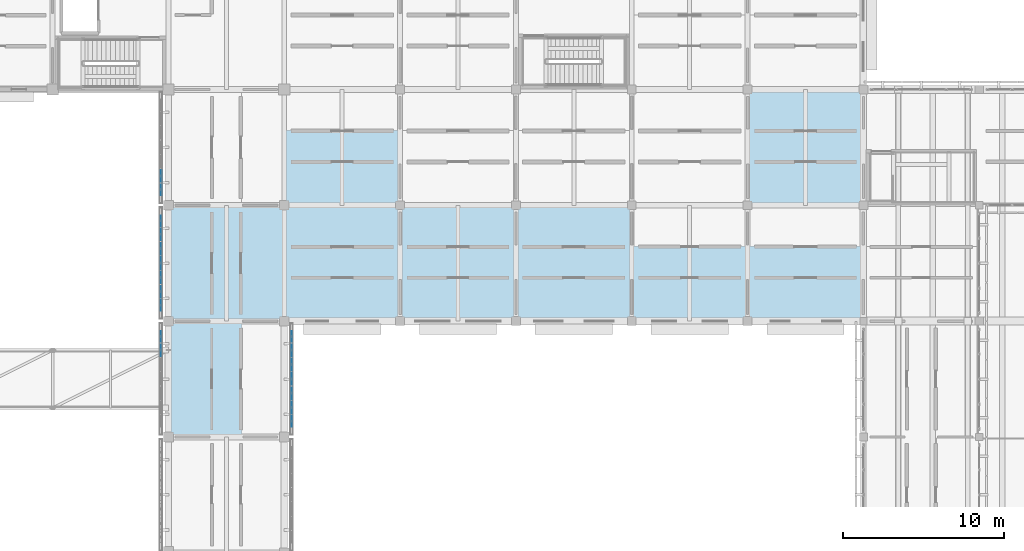
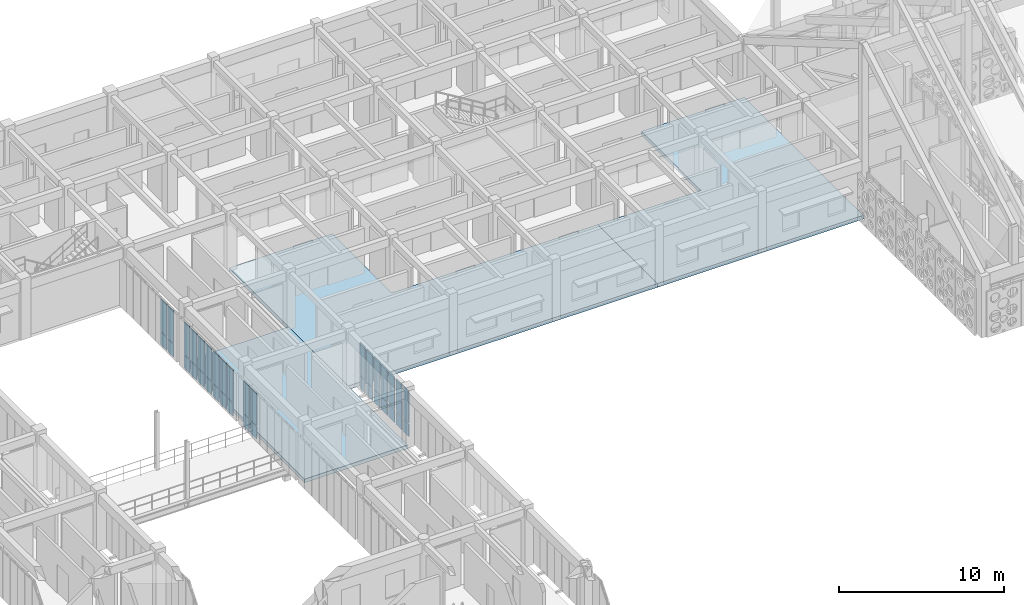
# One storey, part 100 of 171: 36 plates, 3 slabs, 4 elements without a shape of their own.
"""IFC4 building model written with IfcOpenShell, lengths in metres."""

from ifc_helpers import new_model, si_unit, direction, frame, origin, origin_2d, place, context, subcontext, project, spatial, polyline, rectangle, outline, extrude, material, layer, layer_set, type_object, element, aggregate, save


model = new_model("IFC4")

# Units and contexts
model_context = context("Model", 3, precision=1e-05, world=origin(), true_north=direction((0.0, 1.0)))
body_context = subcontext(model_context, "Body", "Model", "MODEL_VIEW")
ifc_project = project(units=[si_unit("LENGTHUNIT", "METRE"), si_unit("AREAUNIT", "SQUARE_METRE"), si_unit("VOLUMEUNIT", "CUBIC_METRE"), si_unit("PLANEANGLEUNIT", "RADIAN"), si_unit("MASSUNIT", "GRAM", prefix="KILO")], contexts=[model_context])

# Site, building, storey
site_placement = place(None, origin())
site = spatial("IfcSite", under=ifc_project, at=site_placement, CompositionType="ELEMENT")
building_placement = place(site_placement, origin())
building = spatial("IfcBuilding", under=site, at=building_placement, Name="Aldebral Square Health Centre", CompositionType="ELEMENT")
storey_placement = place(building_placement, frame((0.0, 0.0, 4.5)))
storey = spatial("IfcBuildingStorey", under=building, at=storey_placement, Name="L01", CompositionType="ELEMENT", Elevation=4.5)

# Curtain wall, plates
ifc_material_1 = material(Name="Aluminium and low-E solar glass", Category="aluminium")
curtain_wall_type = type_object("IfcCurtainWallType", Name="CW-FIN-SYS", PredefinedType="USERDEFINED", material=ifc_material_1)
curtain_wall_1_placement = place(storey_placement, origin())
curtain_wall_1 = element("IfcCurtainWall", 1, at=curtain_wall_1_placement, inside=storey, type_object=curtain_wall_type, Name="L01 V4 finned curtain wall L01-V4-03-11-W", ObjectType="SOLAR_CURTAIN_WALL", PredefinedType="USERDEFINED")
ifc_material_2 = material(Name="Solar-control low-E double glass", Category="glass")
ifc_layer_1 = layer(ifc_material_2, 0.030029296875, Name="Solar-control low-E double glass", Category="glass")
ifc_layer_set_1 = layer_set([ifc_layer_1], Name="Solar-control low-E double glass")
plate_type_1 = type_object("IfcPlateType", Name="CWP-GLZ-2", PredefinedType="CURTAIN_PANEL", material=ifc_layer_set_1)
plate_1_placement = place(storey_placement, frame((21.139892578125, 85.434326171875, 0.074951171875), z_axis=(0.0, 0.0, 1.0), x_axis=(0.0, -1.0, 0.0)))
plate_1 = element("IfcPlate", 2, at=plate_1_placement, type_object=plate_type_1, Name="CW1 panel 1.1", PredefinedType="CURTAIN_PANEL", context=body_context, shape_type="SweptSolid", body=[
    extrude(rectangle(XDim=0.6513671875, YDim=0.030029296875, at=origin_2d()), origin(), (0.0, 0.0, 1.0), 0.9375),
])
plate_2_placement = place(storey_placement, frame((21.139892578125, 85.434326171875, 1.087646484375), z_axis=(0.0, 0.0, 1.0), x_axis=(0.0, -1.0, 0.0)))
plate_2 = element("IfcPlate", 3, at=plate_2_placement, type_object=plate_type_1, Name="CW1 panel 1.2", PredefinedType="CURTAIN_PANEL", context=body_context, shape_type="SweptSolid", body=[
    extrude(rectangle(XDim=0.6513671875, YDim=0.030029296875, at=origin_2d()), origin(), (0.0, 0.0, 1.0), 2.357421875),
])
plate_3_placement = place(storey_placement, frame((21.139892578125, 84.582763671875, 0.074951171875), z_axis=(0.0, 0.0, 1.0), x_axis=(0.0, -1.0, 0.0)))
plate_3 = element("IfcPlate", 4, at=plate_3_placement, type_object=plate_type_1, Name="CW1 panel 2.1", PredefinedType="CURTAIN_PANEL", context=body_context, shape_type="SweptSolid", body=[
    extrude(rectangle(XDim=0.7314453125, YDim=0.030029296875, at=origin_2d()), origin(), (0.0, 0.0, 1.0), 0.9375),
])
plate_4_placement = place(storey_placement, frame((21.139892578125, 84.582763671875, 1.087646484375), z_axis=(0.0, 0.0, 1.0), x_axis=(0.0, -1.0, 0.0)))
plate_4 = element("IfcPlate", 5, at=plate_4_placement, type_object=plate_type_1, Name="CW1 panel 2.2", PredefinedType="CURTAIN_PANEL", context=body_context, shape_type="SweptSolid", body=[
    extrude(rectangle(XDim=0.7314453125, YDim=0.030029296875, at=origin_2d()), origin(), (0.0, 0.0, 1.0), 2.357421875),
])
aggregate(curtain_wall_1, [plate_1, plate_2, plate_3, plate_4])

curtain_wall_2_placement = place(storey_placement, origin())
curtain_wall_2 = element("IfcCurtainWall", 6, at=curtain_wall_2_placement, inside=storey, type_object=curtain_wall_type, Name="L01 V4 finned curtain wall L01-V4-03-11-E", ObjectType="SOLAR_CURTAIN_WALL", PredefinedType="USERDEFINED")
ifc_layer_2 = layer(ifc_material_2, 0.0400390625, Name="Solar-control low-E double glass", Category="glass")
ifc_layer_set_2 = layer_set([ifc_layer_2], Name="Solar-control low-E double glass")
plate_type_2 = type_object("IfcPlateType", Name="CWP-GLZ-3", PredefinedType="CURTAIN_PANEL", material=ifc_layer_set_2)
plate_5_placement = place(storey_placement, frame((29.260009765625, 80.165771484375, 0.074951171875), z_axis=(0.0, 0.0, 1.0), x_axis=(0.0, 1.0, 0.0)))
plate_5 = element("IfcPlate", 7, at=plate_5_placement, type_object=plate_type_2, Name="CW1 panel 1.1", PredefinedType="CURTAIN_PANEL", context=body_context, shape_type="SweptSolid", body=[
    extrude(rectangle(XDim=0.6513671875, YDim=0.0400390625, at=origin_2d()), origin(), (0.0, 0.0, 1.0), 0.9375),
])
plate_6_placement = place(storey_placement, frame((29.260009765625, 80.165771484375, 1.087646484375), z_axis=(0.0, 0.0, 1.0), x_axis=(0.0, 1.0, 0.0)))
plate_6 = element("IfcPlate", 8, at=plate_6_placement, type_object=plate_type_2, Name="CW1 panel 1.2", PredefinedType="CURTAIN_PANEL", context=body_context, shape_type="SweptSolid", body=[
    extrude(rectangle(XDim=0.6513671875, YDim=0.0400390625, at=origin_2d()), origin(), (0.0, 0.0, 1.0), 2.357421875),
])
plate_7_placement = place(storey_placement, frame((29.260009765625, 81.01708984375, 0.074951171875), z_axis=(0.0, 0.0, 1.0), x_axis=(0.0, 1.0, 0.0)))
plate_7 = element("IfcPlate", 9, at=plate_7_placement, type_object=plate_type_2, Name="CW1 panel 2.1", PredefinedType="CURTAIN_PANEL", context=body_context, shape_type="SweptSolid", body=[
    extrude(rectangle(XDim=0.7314453125, YDim=0.0400390625, at=origin_2d()), origin(), (0.0, 0.0, 1.0), 0.9375),
])
plate_8_placement = place(storey_placement, frame((29.260009765625, 81.01708984375, 1.087646484375), z_axis=(0.0, 0.0, 1.0), x_axis=(0.0, 1.0, 0.0)))
plate_8 = element("IfcPlate", 10, at=plate_8_placement, type_object=plate_type_2, Name="CW1 panel 2.2", PredefinedType="CURTAIN_PANEL", context=body_context, shape_type="SweptSolid", body=[
    extrude(rectangle(XDim=0.7314453125, YDim=0.0400390625, at=origin_2d()), origin(), (0.0, 0.0, 1.0), 2.357421875),
])
plate_9_placement = place(storey_placement, frame((29.260009765625, 81.90869140625, 0.074951171875), z_axis=(0.0, 0.0, 1.0), x_axis=(0.0, 1.0, 0.0)))
plate_9 = element("IfcPlate", 11, at=plate_9_placement, type_object=plate_type_2, Name="CW1 panel 3.1", PredefinedType="CURTAIN_PANEL", context=body_context, shape_type="SweptSolid", body=[
    extrude(rectangle(XDim=0.7314453125, YDim=0.0400390625, at=origin_2d()), origin(), (0.0, 0.0, 1.0), 0.9375),
])
plate_10_placement = place(storey_placement, frame((29.260009765625, 81.90869140625, 1.087646484375), z_axis=(0.0, 0.0, 1.0), x_axis=(0.0, 1.0, 0.0)))
plate_10 = element("IfcPlate", 12, at=plate_10_placement, type_object=plate_type_2, Name="CW1 panel 3.2", PredefinedType="CURTAIN_PANEL", context=body_context, shape_type="SweptSolid", body=[
    extrude(rectangle(XDim=0.7314453125, YDim=0.0400390625, at=origin_2d()), origin(), (0.0, 0.0, 1.0), 2.357421875),
])
plate_11_placement = place(storey_placement, frame((29.260009765625, 82.800048828125, 0.074951171875), z_axis=(0.0, 0.0, 1.0), x_axis=(0.0, 1.0, 0.0)))
plate_11 = element("IfcPlate", 13, at=plate_11_placement, type_object=plate_type_2, Name="CW1 panel 4.1", PredefinedType="CURTAIN_PANEL", context=body_context, shape_type="SweptSolid", body=[
    extrude(rectangle(XDim=0.7314453125, YDim=0.0400390625, at=origin_2d()), origin(), (0.0, 0.0, 1.0), 0.9375),
])
plate_12_placement = place(storey_placement, frame((29.260009765625, 82.800048828125, 1.087646484375), z_axis=(0.0, 0.0, 1.0), x_axis=(0.0, 1.0, 0.0)))
plate_12 = element("IfcPlate", 14, at=plate_12_placement, type_object=plate_type_2, Name="CW1 panel 4.2", PredefinedType="CURTAIN_PANEL", context=body_context, shape_type="SweptSolid", body=[
    extrude(rectangle(XDim=0.7314453125, YDim=0.0400390625, at=origin_2d()), origin(), (0.0, 0.0, 1.0), 2.357421875),
])
plate_13_placement = place(storey_placement, frame((29.260009765625, 83.69140625, 0.074951171875), z_axis=(0.0, 0.0, 1.0), x_axis=(0.0, 1.0, 0.0)))
plate_13 = element("IfcPlate", 15, at=plate_13_placement, type_object=plate_type_2, Name="CW1 panel 5.1", PredefinedType="CURTAIN_PANEL", context=body_context, shape_type="SweptSolid", body=[
    extrude(rectangle(XDim=0.7314453125, YDim=0.0400390625, at=origin_2d()), origin(), (0.0, 0.0, 1.0), 0.9375),
])
plate_14_placement = place(storey_placement, frame((29.260009765625, 83.69140625, 1.087646484375), z_axis=(0.0, 0.0, 1.0), x_axis=(0.0, 1.0, 0.0)))
plate_14 = element("IfcPlate", 16, at=plate_14_placement, type_object=plate_type_2, Name="CW1 panel 5.2", PredefinedType="CURTAIN_PANEL", context=body_context, shape_type="SweptSolid", body=[
    extrude(rectangle(XDim=0.7314453125, YDim=0.0400390625, at=origin_2d()), origin(), (0.0, 0.0, 1.0), 2.357421875),
])
plate_15_placement = place(storey_placement, frame((29.260009765625, 84.582763671875, 0.074951171875), z_axis=(0.0, 0.0, 1.0), x_axis=(0.0, 1.0, 0.0)))
plate_15 = element("IfcPlate", 17, at=plate_15_placement, type_object=plate_type_2, Name="CW1 panel 6.1", PredefinedType="CURTAIN_PANEL", context=body_context, shape_type="SweptSolid", body=[
    extrude(rectangle(XDim=0.7314453125, YDim=0.0400390625, at=origin_2d()), origin(), (0.0, 0.0, 1.0), 0.9375),
])
plate_16_placement = place(storey_placement, frame((29.260009765625, 84.582763671875, 1.087646484375), z_axis=(0.0, 0.0, 1.0), x_axis=(0.0, 1.0, 0.0)))
plate_16 = element("IfcPlate", 18, at=plate_16_placement, type_object=plate_type_2, Name="CW1 panel 6.2", PredefinedType="CURTAIN_PANEL", context=body_context, shape_type="SweptSolid", body=[
    extrude(rectangle(XDim=0.7314453125, YDim=0.0400390625, at=origin_2d()), origin(), (0.0, 0.0, 1.0), 2.357421875),
])
plate_17_placement = place(storey_placement, frame((29.260009765625, 85.434326171875, 0.074951171875), z_axis=(0.0, 0.0, 1.0), x_axis=(0.0, 1.0, 0.0)))
plate_17 = element("IfcPlate", 19, at=plate_17_placement, type_object=plate_type_2, Name="CW1 panel 7.1", PredefinedType="CURTAIN_PANEL", context=body_context, shape_type="SweptSolid", body=[
    extrude(rectangle(XDim=0.6513671875, YDim=0.0400390625, at=origin_2d()), origin(), (0.0, 0.0, 1.0), 0.9375),
])
plate_18_placement = place(storey_placement, frame((29.260009765625, 85.434326171875, 1.087646484375), z_axis=(0.0, 0.0, 1.0), x_axis=(0.0, 1.0, 0.0)))
plate_18 = element("IfcPlate", 20, at=plate_18_placement, type_object=plate_type_2, Name="CW1 panel 7.2", PredefinedType="CURTAIN_PANEL", context=body_context, shape_type="SweptSolid", body=[
    extrude(rectangle(XDim=0.6513671875, YDim=0.0400390625, at=origin_2d()), origin(), (0.0, 0.0, 1.0), 2.357421875),
])
aggregate(curtain_wall_2, [plate_5, plate_6, plate_7, plate_8, plate_9, plate_10, plate_11, plate_12, plate_13, plate_14, plate_15, plate_16, plate_17, plate_18])

curtain_wall_3_placement = place(storey_placement, origin())
curtain_wall_3 = element("IfcCurtainWall", 21, at=curtain_wall_3_placement, inside=storey, type_object=curtain_wall_type, Name="L01 V4 finned curtain wall L01-V4-03-12-W", ObjectType="SOLAR_CURTAIN_WALL", PredefinedType="USERDEFINED")
ifc_layer_3 = layer(ifc_material_2, 0.050048828125, Name="Solar-control low-E double glass", Category="glass")
ifc_layer_set_3 = layer_set([ifc_layer_3], Name="Solar-control low-E double glass")
plate_type_3 = type_object("IfcPlateType", Name="CWP-GLZ-4", PredefinedType="CURTAIN_PANEL", material=ifc_layer_set_3)
plate_19_placement = place(storey_placement, frame((21.139892578125, 92.63427734375, 0.074951171875), z_axis=(0.0, 0.0, 1.0), x_axis=(0.0, -1.0, 0.0)))
plate_19 = element("IfcPlate", 22, at=plate_19_placement, type_object=plate_type_3, Name="CW1 panel 1.1", PredefinedType="CURTAIN_PANEL", context=body_context, shape_type="SweptSolid", body=[
    extrude(rectangle(XDim=0.6513671875, YDim=0.050048828125, at=origin_2d()), origin(), (0.0, 0.0, 1.0), 0.9375),
])
plate_20_placement = place(storey_placement, frame((21.139892578125, 92.63427734375, 1.087646484375), z_axis=(0.0, 0.0, 1.0), x_axis=(0.0, -1.0, 0.0)))
plate_20 = element("IfcPlate", 23, at=plate_20_placement, type_object=plate_type_3, Name="CW1 panel 1.2", PredefinedType="CURTAIN_PANEL", context=body_context, shape_type="SweptSolid", body=[
    extrude(rectangle(XDim=0.6513671875, YDim=0.050048828125, at=origin_2d()), origin(), (0.0, 0.0, 1.0), 2.357421875),
])
plate_21_placement = place(storey_placement, frame((21.139892578125, 91.782958984375, 0.074951171875), z_axis=(0.0, 0.0, 1.0), x_axis=(0.0, -1.0, 0.0)))
plate_21 = element("IfcPlate", 24, at=plate_21_placement, type_object=plate_type_3, Name="CW1 panel 2.1", PredefinedType="CURTAIN_PANEL", context=body_context, shape_type="SweptSolid", body=[
    extrude(rectangle(XDim=0.7314453125, YDim=0.050048828125, at=origin_2d()), origin(), (0.0, 0.0, 1.0), 0.9375),
])
plate_22_placement = place(storey_placement, frame((21.139892578125, 91.782958984375, 1.087646484375), z_axis=(0.0, 0.0, 1.0), x_axis=(0.0, -1.0, 0.0)))
plate_22 = element("IfcPlate", 25, at=plate_22_placement, type_object=plate_type_3, Name="CW1 panel 2.2", PredefinedType="CURTAIN_PANEL", context=body_context, shape_type="SweptSolid", body=[
    extrude(rectangle(XDim=0.7314453125, YDim=0.050048828125, at=origin_2d()), origin(), (0.0, 0.0, 1.0), 2.357421875),
])
plate_23_placement = place(storey_placement, frame((21.139892578125, 90.891357421875, 0.074951171875), z_axis=(0.0, 0.0, 1.0), x_axis=(0.0, -1.0, 0.0)))
plate_23 = element("IfcPlate", 26, at=plate_23_placement, type_object=plate_type_3, Name="CW1 panel 3.1", PredefinedType="CURTAIN_PANEL", context=body_context, shape_type="SweptSolid", body=[
    extrude(rectangle(XDim=0.7314453125, YDim=0.050048828125, at=origin_2d()), origin(), (0.0, 0.0, 1.0), 0.9375),
])
plate_24_placement = place(storey_placement, frame((21.139892578125, 90.891357421875, 1.087646484375), z_axis=(0.0, 0.0, 1.0), x_axis=(0.0, -1.0, 0.0)))
plate_24 = element("IfcPlate", 27, at=plate_24_placement, type_object=plate_type_3, Name="CW1 panel 3.2", PredefinedType="CURTAIN_PANEL", context=body_context, shape_type="SweptSolid", body=[
    extrude(rectangle(XDim=0.7314453125, YDim=0.050048828125, at=origin_2d()), origin(), (0.0, 0.0, 1.0), 2.357421875),
])
plate_25_placement = place(storey_placement, frame((21.139892578125, 90.0, 0.074951171875), z_axis=(0.0, 0.0, 1.0), x_axis=(0.0, -1.0, 0.0)))
plate_25 = element("IfcPlate", 28, at=plate_25_placement, type_object=plate_type_3, Name="CW1 panel 4.1", PredefinedType="CURTAIN_PANEL", context=body_context, shape_type="SweptSolid", body=[
    extrude(rectangle(XDim=0.7314453125, YDim=0.050048828125, at=origin_2d()), origin(), (0.0, 0.0, 1.0), 0.9375),
])
plate_26_placement = place(storey_placement, frame((21.139892578125, 90.0, 1.087646484375), z_axis=(0.0, 0.0, 1.0), x_axis=(0.0, -1.0, 0.0)))
plate_26 = element("IfcPlate", 29, at=plate_26_placement, type_object=plate_type_3, Name="CW1 panel 4.2", PredefinedType="CURTAIN_PANEL", context=body_context, shape_type="SweptSolid", body=[
    extrude(rectangle(XDim=0.7314453125, YDim=0.050048828125, at=origin_2d()), origin(), (0.0, 0.0, 1.0), 2.357421875),
])
plate_27_placement = place(storey_placement, frame((21.139892578125, 89.108642578125, 0.074951171875), z_axis=(0.0, 0.0, 1.0), x_axis=(0.0, -1.0, 0.0)))
plate_27 = element("IfcPlate", 30, at=plate_27_placement, type_object=plate_type_3, Name="CW1 panel 5.1", PredefinedType="CURTAIN_PANEL", context=body_context, shape_type="SweptSolid", body=[
    extrude(rectangle(XDim=0.7314453125, YDim=0.050048828125, at=origin_2d()), origin(), (0.0, 0.0, 1.0), 0.9375),
])
plate_28_placement = place(storey_placement, frame((21.139892578125, 89.108642578125, 1.087646484375), z_axis=(0.0, 0.0, 1.0), x_axis=(0.0, -1.0, 0.0)))
plate_28 = element("IfcPlate", 31, at=plate_28_placement, type_object=plate_type_3, Name="CW1 panel 5.2", PredefinedType="CURTAIN_PANEL", context=body_context, shape_type="SweptSolid", body=[
    extrude(rectangle(XDim=0.7314453125, YDim=0.050048828125, at=origin_2d()), origin(), (0.0, 0.0, 1.0), 2.357421875),
])
plate_29_placement = place(storey_placement, frame((21.139892578125, 88.217041015625, 0.074951171875), z_axis=(0.0, 0.0, 1.0), x_axis=(0.0, -1.0, 0.0)))
plate_29 = element("IfcPlate", 32, at=plate_29_placement, type_object=plate_type_3, Name="CW1 panel 6.1", PredefinedType="CURTAIN_PANEL", context=body_context, shape_type="SweptSolid", body=[
    extrude(rectangle(XDim=0.7314453125, YDim=0.050048828125, at=origin_2d()), origin(), (0.0, 0.0, 1.0), 0.9375),
])
plate_30_placement = place(storey_placement, frame((21.139892578125, 88.217041015625, 1.087646484375), z_axis=(0.0, 0.0, 1.0), x_axis=(0.0, -1.0, 0.0)))
plate_30 = element("IfcPlate", 33, at=plate_30_placement, type_object=plate_type_3, Name="CW1 panel 6.2", PredefinedType="CURTAIN_PANEL", context=body_context, shape_type="SweptSolid", body=[
    extrude(rectangle(XDim=0.7314453125, YDim=0.050048828125, at=origin_2d()), origin(), (0.0, 0.0, 1.0), 2.357421875),
])
plate_31_placement = place(storey_placement, frame((21.139892578125, 87.36572265625, 0.074951171875), z_axis=(0.0, 0.0, 1.0), x_axis=(0.0, -1.0, 0.0)))
plate_31 = element("IfcPlate", 34, at=plate_31_placement, type_object=plate_type_3, Name="CW1 panel 7.1", PredefinedType="CURTAIN_PANEL", context=body_context, shape_type="SweptSolid", body=[
    extrude(rectangle(XDim=0.6513671875, YDim=0.050048828125, at=origin_2d()), origin(), (0.0, 0.0, 1.0), 0.9375),
])
plate_32_placement = place(storey_placement, frame((21.139892578125, 87.36572265625, 1.087646484375), z_axis=(0.0, 0.0, 1.0), x_axis=(0.0, -1.0, 0.0)))
plate_32 = element("IfcPlate", 35, at=plate_32_placement, type_object=plate_type_3, Name="CW1 panel 7.2", PredefinedType="CURTAIN_PANEL", context=body_context, shape_type="SweptSolid", body=[
    extrude(rectangle(XDim=0.6513671875, YDim=0.050048828125, at=origin_2d()), origin(), (0.0, 0.0, 1.0), 2.357421875),
])
aggregate(curtain_wall_3, [plate_19, plate_20, plate_21, plate_22, plate_23, plate_24, plate_25, plate_26, plate_27, plate_28, plate_29, plate_30, plate_31, plate_32])

curtain_wall_4_placement = place(storey_placement, origin())
curtain_wall_4 = element("IfcCurtainWall", 36, at=curtain_wall_4_placement, inside=storey, type_object=curtain_wall_type, Name="L01 V4 finned curtain wall L01-V4-03-13-W", ObjectType="SOLAR_CURTAIN_WALL", PredefinedType="USERDEFINED")
ifc_layer_4 = layer(ifc_material_2, 0.06005859375, Name="Solar-control low-E double glass", Category="glass")
ifc_layer_set_4 = layer_set([ifc_layer_4], Name="Solar-control low-E double glass")
plate_type_4 = type_object("IfcPlateType", Name="CWP-GLZ-5", PredefinedType="CURTAIN_PANEL", material=ifc_layer_set_4)
plate_33_placement = place(storey_placement, frame((21.139892578125, 95.417236328125, 0.074951171875), z_axis=(0.0, 0.0, 1.0), x_axis=(0.0, -1.0, 0.0)))
plate_33 = element("IfcPlate", 37, at=plate_33_placement, type_object=plate_type_4, Name="CW1 panel 6.1", PredefinedType="CURTAIN_PANEL", context=body_context, shape_type="SweptSolid", body=[
    extrude(rectangle(XDim=0.7314453125, YDim=0.06005859375, at=origin_2d()), origin(), (0.0, 0.0, 1.0), 0.9375),
])
plate_34_placement = place(storey_placement, frame((21.139892578125, 95.417236328125, 1.087646484375), z_axis=(0.0, 0.0, 1.0), x_axis=(0.0, -1.0, 0.0)))
plate_34 = element("IfcPlate", 38, at=plate_34_placement, type_object=plate_type_4, Name="CW1 panel 6.2", PredefinedType="CURTAIN_PANEL", context=body_context, shape_type="SweptSolid", body=[
    extrude(rectangle(XDim=0.7314453125, YDim=0.06005859375, at=origin_2d()), origin(), (0.0, 0.0, 1.0), 2.357421875),
])
plate_35_placement = place(storey_placement, frame((21.139892578125, 94.565673828125, 0.074951171875), z_axis=(0.0, 0.0, 1.0), x_axis=(0.0, -1.0, 0.0)))
plate_35 = element("IfcPlate", 39, at=plate_35_placement, type_object=plate_type_4, Name="CW1 panel 7.1", PredefinedType="CURTAIN_PANEL", context=body_context, shape_type="SweptSolid", body=[
    extrude(rectangle(XDim=0.6513671875, YDim=0.06005859375, at=origin_2d()), origin(), (0.0, 0.0, 1.0), 0.9375),
])
plate_36_placement = place(storey_placement, frame((21.139892578125, 94.565673828125, 1.087646484375), z_axis=(0.0, 0.0, 1.0), x_axis=(0.0, -1.0, 0.0)))
plate_36 = element("IfcPlate", 40, at=plate_36_placement, type_object=plate_type_4, Name="CW1 panel 7.2", PredefinedType="CURTAIN_PANEL", context=body_context, shape_type="SweptSolid", body=[
    extrude(rectangle(XDim=0.6513671875, YDim=0.06005859375, at=origin_2d()), origin(), (0.0, 0.0, 1.0), 2.357421875),
])
aggregate(curtain_wall_4, [plate_33, plate_34, plate_35, plate_36])

# Slabs
ifc_material_3 = material(Name="Concrete C35/45", Category="concrete")
ifc_layer_5 = layer(ifc_material_3, 0.27001953125, Name="Concrete C35/45", Category="concrete")
ifc_layer_set_5 = layer_set([ifc_layer_5], Name="Concrete C35/45")
slab_type_1 = type_object("IfcSlabType", Name="SL-FLR-270", PredefinedType="FLOOR", material=ifc_layer_set_5)
slab_1_placement = place(storey_placement, frame((0.0, 0.0, -0.27001953125)))
element("IfcSlab", 41, at=slab_1_placement, inside=storey, type_object=slab_type_1, Name="L01 V4 floor slab 10", PredefinedType="FLOOR", context=body_context, shape_type="SweptSolid", body=[
    extrude(outline(polyline([(21.60009765625, 79.199951171875), (21.60009765625, 86.39990234375), (21.60009765625, 93.60009765625), (28.800048828125, 93.60009765625), (28.800048828125, 86.39990234375), (28.800048828125, 79.199951171875), (21.60009765625, 79.199951171875)])), origin(), (0.0, 0.0, 1.0), 0.27001953125),
])
ifc_layer_6 = layer(ifc_material_3, 0.280029296875, Name="Concrete C35/45", Category="concrete")
ifc_layer_set_6 = layer_set([ifc_layer_6], Name="Concrete C35/45")
slab_type_2 = type_object("IfcSlabType", Name="SL-FLR-280", PredefinedType="FLOOR", material=ifc_layer_set_6)
slab_2_placement = place(storey_placement, frame((0.0, 0.0, -0.280029296875)))
element("IfcSlab", 42, at=slab_2_placement, inside=storey, type_object=slab_type_2, Name="L01 V2 floor slab 1", PredefinedType="FLOOR", context=body_context, shape_type="SweptSolid", body=[
    extrude(outline(polyline([(28.800048828125, 100.800048828125), (36.0, 100.800048828125), (36.0, 93.60009765625), (43.199951171875, 93.60009765625), (50.39990234375, 93.60009765625), (50.39990234375, 86.39990234375), (43.199951171875, 86.39990234375), (36.0, 86.39990234375), (28.800048828125, 86.39990234375), (28.800048828125, 93.60009765625), (28.800048828125, 100.800048828125)])), origin(), (0.0, 0.0, 1.0), 0.280029296875),
])
slab_3_placement = place(storey_placement, frame((0.0, 0.0, -0.280029296875)))
element("IfcSlab", 43, at=slab_3_placement, inside=storey, type_object=slab_type_2, Name="L01 V2 floor slab 5", PredefinedType="FLOOR", context=body_context, shape_type="SweptSolid", body=[
    extrude(outline(polyline([(50.39990234375, 93.60009765625), (57.60009765625, 93.60009765625), (57.60009765625, 100.800048828125), (64.800048828125, 100.800048828125), (64.800048828125, 93.60009765625), (64.800048828125, 86.39990234375), (57.60009765625, 86.39990234375), (50.39990234375, 86.39990234375), (50.39990234375, 93.60009765625)])), origin(), (0.0, 0.0, 1.0), 0.280029296875),
])

save(model, "model.ifc")
